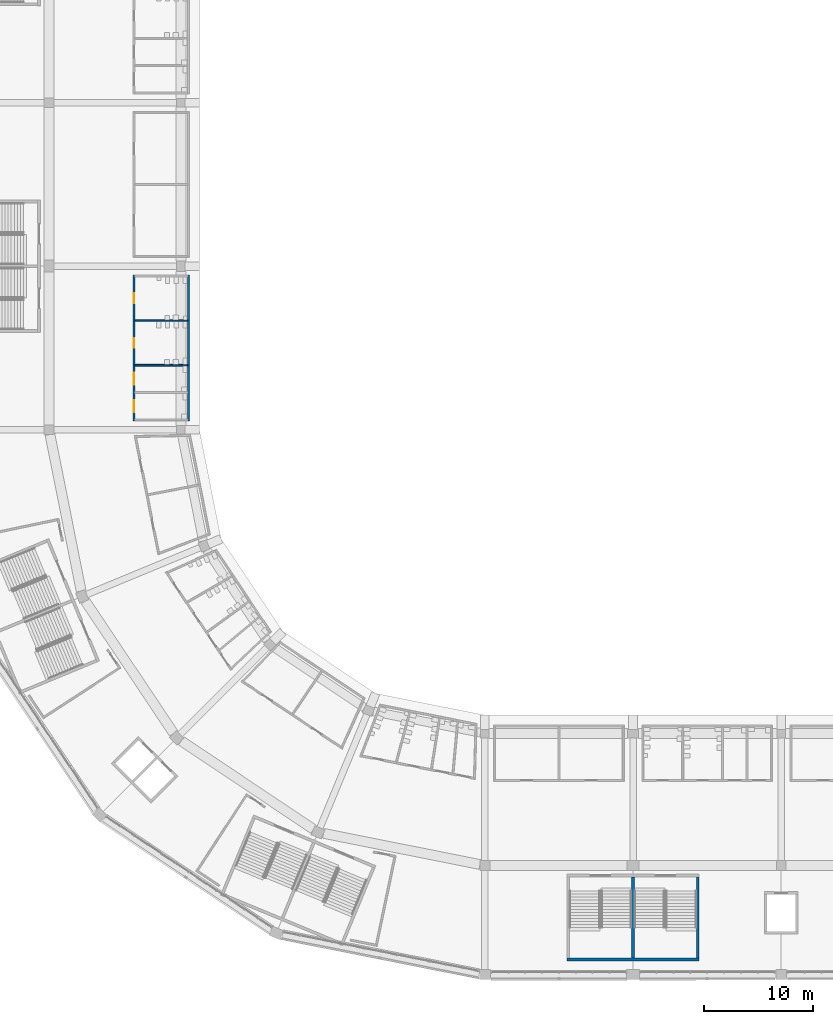
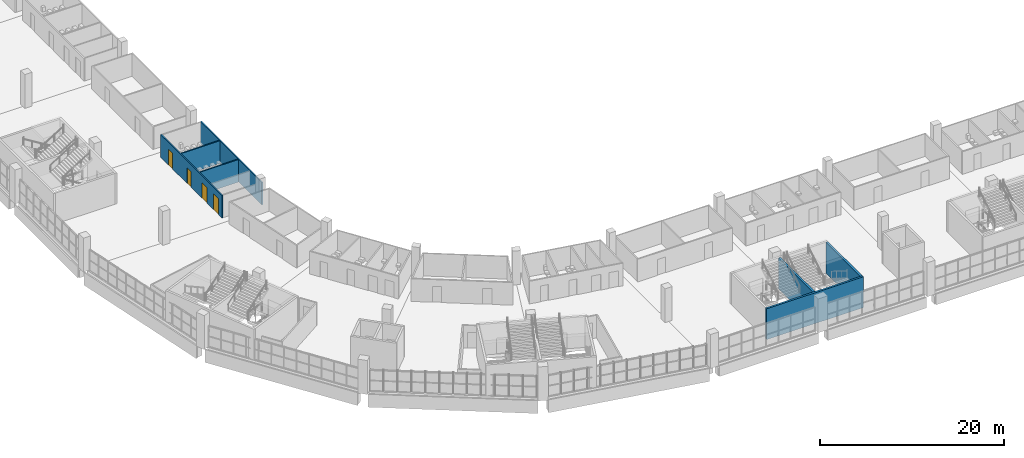
# One storey, part 76 of 199: 7 walls, 4 doors, 4 openings.
"""IFC4 building model written with IfcOpenShell, lengths in metres."""

from ifc_helpers import new_model, si_unit, direction, frame, frame_2d, origin, place, context, subcontext, project, spatial, rectangle, extrude, material, layer, layer_set, type_object, element, fill, save


model = new_model("IFC4")

# Units and contexts
model_context = context("Model", 3, precision=1e-05, world=origin(), true_north=direction((0.0, 1.0)))
body_context = subcontext(model_context, "Body", "Model", "MODEL_VIEW")
ifc_project = project(units=[si_unit("LENGTHUNIT", "METRE"), si_unit("AREAUNIT", "SQUARE_METRE"), si_unit("VOLUMEUNIT", "CUBIC_METRE"), si_unit("PLANEANGLEUNIT", "RADIAN"), si_unit("MASSUNIT", "GRAM", prefix="KILO")], contexts=[model_context])

# Site, building, storey
site_placement = place(None, origin())
site = spatial("IfcSite", under=ifc_project, at=site_placement, CompositionType="ELEMENT")
building_placement = place(site_placement, origin())
building = spatial("IfcBuilding", under=site, at=building_placement, Name="Ogive Plaza Stadium", CompositionType="ELEMENT")
storey_placement = place(building_placement, frame((0.0, 0.0, 4.5)))
storey = spatial("IfcBuildingStorey", under=building, at=storey_placement, Name="L01", CompositionType="ELEMENT", Elevation=4.5)

# Walls
ifc_material_1 = material(Name="Concrete C40/50", Category="concrete")
ifc_layer_1 = layer(ifc_material_1, 0.25)
ifc_layer_set_1 = layer_set([ifc_layer_1], Name="Concrete C40/50")
wall_type_1 = type_object("IfcWallType", Name="Core wall 250", PredefinedType="SHEAR", material=ifc_layer_set_1)
wall_1_placement = place(storey_placement, frame((-26.47509765625, -101.135009765625, 0.0), z_axis=(0.0, 0.0, 1.0), x_axis=(1.0, 0.0, 0.0)))
element("IfcWall", 1, at=wall_1_placement, inside=storey, type_object=wall_type_1, Name="Stair core R16 outer wall", PredefinedType="SHEAR", context=body_context, shape_type="SweptSolid", body=[
    extrude(rectangle(XDim=12.150146484375, YDim=0.25, at=frame_2d((6.0751953125, 0.0))), origin(), (0.0, 0.0, 1.0), 4.090087890625),
])
for number, where, z_axis, x_axis, name in (
    (2, (-14.449951171875, -93.550048828125, 0.0), (0.0, 0.0, 1.0), (0.0, -1.0, 0.0), "Stair core R16 side wall"),
    (3, (-20.39990234375, -93.550048828125, 0.0), (0.0, 0.0, 1.0), (0.0, -1.0, 0.0), "Stair core R16 centre wall"),
):
    element("IfcWall", number, at=place(storey_placement, frame(where, z_axis=z_axis, x_axis=x_axis)), inside=storey, type_object=wall_type_1, Name=name, PredefinedType="SHEAR", context=body_context, shape_type="SweptSolid", body=[
        extrude(rectangle(XDim=7.4599609375, YDim=0.25, at=frame_2d((3.72998046875, 0.0))), origin(), (0.0, 0.0, 1.0), 4.090087890625),
    ])
ifc_material_2 = material(Name="Gypsum board partition", Category="gypsum")
ifc_layer_2 = layer(ifc_material_2, 0.14990234375)
ifc_layer_set_2 = layer_set([ifc_layer_2], Name="Partition 150")
wall_type_2 = type_object("IfcWallType", Name="Partition 150", PredefinedType="PARTITIONING", material=ifc_layer_set_2)
wall_2_placement = place(storey_placement, frame((-61.199951171875, -38.324951171875, 0.0), z_axis=(0.0, 0.0, 1.0), x_axis=(0.0, -1.0, 0.0)))
element("IfcWall", 4, at=wall_2_placement, inside=storey, type_object=wall_type_2, Name="Wall L01 B21", PredefinedType="PARTITIONING", context=body_context, shape_type="SweptSolid", body=[
    extrude(rectangle(XDim=13.35009765625, YDim=0.14990234375, at=frame_2d((6.675048828125, 0.0))), origin(), (0.0, 0.0, 1.0), 3.0),
])

# Wall, openings, doors
wall_3_placement = place(storey_placement, frame((-66.199951171875, -38.324951171875, 0.0), z_axis=(0.0, 0.0, 1.0), x_axis=(0.0, -1.0, 0.0)))
wall_3 = element("IfcWall", 5, at=wall_3_placement, inside=storey, type_object=wall_type_2, Name="Wall L01 B21", PredefinedType="PARTITIONING", context=body_context, shape_type="SweptSolid", body=[
    extrude(rectangle(XDim=13.35009765625, YDim=0.14990234375, at=frame_2d((6.675048828125, 0.0))), origin(), (0.0, 0.0, 1.0), 3.0),
])
opening_1_placement = place(wall_3_placement, frame((1.6708984375, 0.0, 0.0)))
opening_1 = element("IfcOpeningElement", 6, at=opening_1_placement, cuts=wall_3, Name="Opening D0537", PredefinedType="OPENING", context=body_context, shape_type="SweptSolid", body=[
    extrude(rectangle(XDim=0.89990234375, YDim=2.10009765625, at=frame_2d((0.449951171875, 1.050048828125))), frame((0.0, 0.074951171875, 0.0), z_axis=(0.0, -1.0, 0.0), x_axis=(1.0, 0.0, 0.0)), (0.0, 0.0, 1.0), 0.14990234375),
])
opening_2_placement = place(wall_3_placement, frame((5.762939453125, 0.0, 0.0)))
opening_2 = element("IfcOpeningElement", 7, at=opening_2_placement, cuts=wall_3, Name="Opening D0538", PredefinedType="OPENING", context=body_context, shape_type="SweptSolid", body=[
    extrude(rectangle(XDim=0.89990234375, YDim=2.10009765625, at=frame_2d((0.449951171875, 1.050048828125))), frame((0.0, 0.074951171875, 0.0), z_axis=(0.0, -1.0, 0.0), x_axis=(1.0, 0.0, 0.0)), (0.0, 0.0, 1.0), 0.14990234375),
])
opening_3_placement = place(wall_3_placement, frame((8.962890625, 0.0, 0.0)))
opening_3 = element("IfcOpeningElement", 8, at=opening_3_placement, cuts=wall_3, Name="Opening D0539", PredefinedType="OPENING", context=body_context, shape_type="SweptSolid", body=[
    extrude(rectangle(XDim=1.10009765625, YDim=2.10009765625, at=frame_2d((0.550048828125, 1.050048828125))), frame((0.0, 0.074951171875, 0.0), z_axis=(0.0, -1.0, 0.0), x_axis=(1.0, 0.0, 0.0)), (0.0, 0.0, 1.0), 0.14990234375),
])
opening_4_placement = place(wall_3_placement, frame((11.470947265625, 0.0, 0.0)))
opening_4 = element("IfcOpeningElement", 9, at=opening_4_placement, cuts=wall_3, Name="Opening D0540", PredefinedType="OPENING", context=body_context, shape_type="SweptSolid", body=[
    extrude(rectangle(XDim=1.10009765625, YDim=2.10009765625, at=frame_2d((0.550048828125, 1.050048828125))), frame((0.0, 0.074951171875, 0.0), z_axis=(0.0, -1.0, 0.0), x_axis=(1.0, 0.0, 0.0)), (0.0, 0.0, 1.0), 0.14990234375),
])
ifc_material_3 = material(Name="Steel ASTM A572 Grade 50", Category="steel")
door_type_1 = type_object("IfcDoorType", Name="Accessible door 1100 x 2100", OperationType="SINGLE_SWING_LEFT", PredefinedType="DOOR", material=ifc_material_3)
door_1_placement = place(opening_3_placement, origin())
door_1 = element("IfcDoor", 10, at=door_1_placement, inside=storey, type_object=door_type_1, Name="Accessible WC B21 door", OperationType="SINGLE_SWING_LEFT", OverallHeight=2.10009765625, OverallWidth=1.10009765625, PredefinedType="DOOR", context=body_context, shape_type="SweptSolid", body=[
    extrude(rectangle(XDim=1.10009765625, YDim=2.10009765625, at=frame_2d((0.550048828125, 1.050048828125))), frame((0.0, 0.02490234375, 0.0), z_axis=(0.0, -1.0, 0.0), x_axis=(1.0, 0.0, 0.0)), (0.0, 0.0, 1.0), 0.050048828125),
])
fill(opening_3, door_1)
door_2_placement = place(opening_4_placement, origin())
door_2 = element("IfcDoor", 11, at=door_2_placement, inside=storey, type_object=door_type_1, Name="Family WC B21 door", OperationType="SINGLE_SWING_RIGHT", OverallHeight=2.10009765625, OverallWidth=1.10009765625, PredefinedType="DOOR", context=body_context, shape_type="SweptSolid", body=[
    extrude(rectangle(XDim=1.10009765625, YDim=2.10009765625, at=frame_2d((0.550048828125, 1.050048828125))), frame((0.0, 0.02490234375, 0.0), z_axis=(0.0, -1.0, 0.0), x_axis=(1.0, 0.0, 0.0)), (0.0, 0.0, 1.0), 0.050048828125),
])
fill(opening_4, door_2)
ifc_material_4 = material(Name="Steel ASTM A572 Grade 50", Category="steel")
door_type_2 = type_object("IfcDoorType", Name="Door 900 x 2100", OperationType="SINGLE_SWING_LEFT", PredefinedType="DOOR", material=ifc_material_4)
door_3_placement = place(opening_1_placement, origin())
door_3 = element("IfcDoor", 12, at=door_3_placement, inside=storey, type_object=door_type_2, Name="Men's Toilet B21 door", OperationType="SINGLE_SWING_LEFT", OverallHeight=2.10009765625, OverallWidth=0.89990234375, PredefinedType="DOOR", context=body_context, shape_type="SweptSolid", body=[
    extrude(rectangle(XDim=0.89990234375, YDim=2.10009765625, at=frame_2d((0.449951171875, 1.050048828125))), frame((0.0, 0.02490234375, 0.0), z_axis=(0.0, -1.0, 0.0), x_axis=(1.0, 0.0, 0.0)), (0.0, 0.0, 1.0), 0.050048828125),
])
fill(opening_1, door_3)
door_4_placement = place(opening_2_placement, origin())
door_4 = element("IfcDoor", 13, at=door_4_placement, inside=storey, type_object=door_type_2, Name="Women's Toilet B21 door", OperationType="SINGLE_SWING_RIGHT", OverallHeight=2.10009765625, OverallWidth=0.89990234375, PredefinedType="DOOR", context=body_context, shape_type="SweptSolid", body=[
    extrude(rectangle(XDim=0.89990234375, YDim=2.10009765625, at=frame_2d((0.449951171875, 1.050048828125))), frame((0.0, 0.02490234375, 0.0), z_axis=(0.0, -1.0, 0.0), x_axis=(1.0, 0.0, 0.0)), (0.0, 0.0, 1.0), 0.050048828125),
])
fill(opening_2, door_4)

# Walls
for number, where, z_axis, x_axis, name in (
    (14, (-61.27490234375, -42.491943359375, 0.0), (0.0, 0.0, 1.0), (-1.0, 0.0, 0.0), "Wall L01 B21"),
    (15, (-61.27490234375, -46.583984375, 0.0), (0.0, 0.0, 1.0), (-1.0, 0.0, 0.0), "Wall L01 B21"),
):
    element("IfcWall", number, at=place(storey_placement, frame(where, z_axis=z_axis, x_axis=x_axis)), inside=storey, type_object=wall_type_2, Name=name, PredefinedType="PARTITIONING", context=body_context, shape_type="SweptSolid", body=[
        extrude(rectangle(XDim=4.85009765625, YDim=0.14990234375, at=frame_2d((2.425048828125, 0.0))), origin(), (0.0, 0.0, 1.0), 3.0),
    ])

save(model, "model.ifc")
